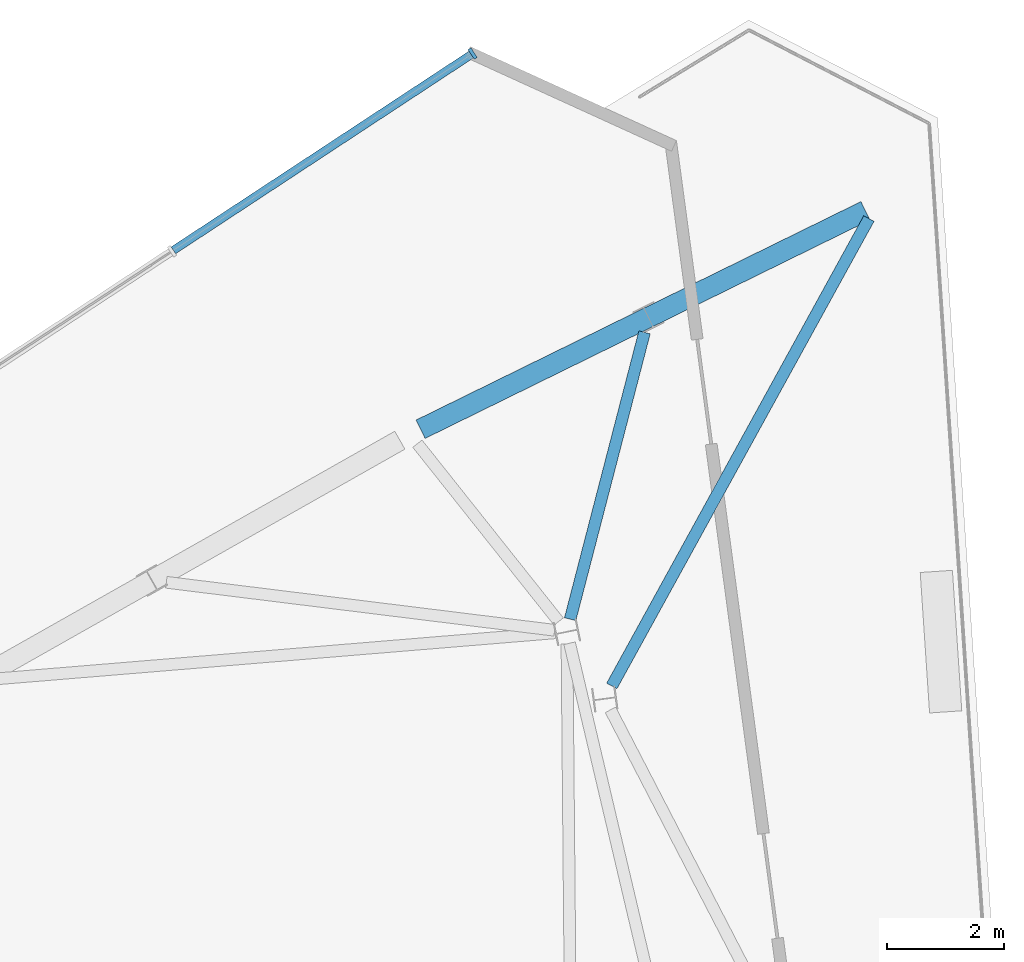
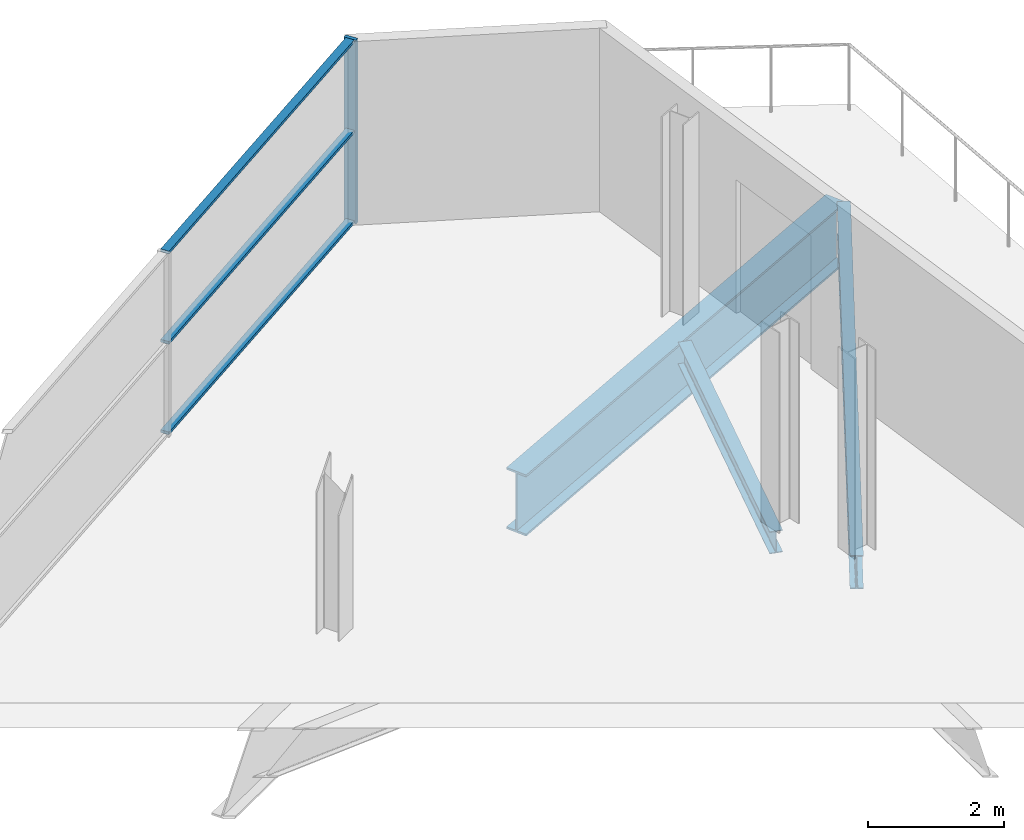
# One storey, part 6 of 10: 4 members, 3 beams, 1 element without a shape of its own.
"""IFC4 building model written with IfcOpenShell, lengths in metres."""

from ifc_helpers import new_model, si_unit, direction, frame, origin, origin_2d, place, context, subcontext, project, spatial, rectangle, i_section, extrude, material, material_profile, profile_set, type_object, element, aggregate, save


model = new_model("IFC4")

# Units and contexts
model_context = context("Model", 3, precision=1e-05, world=origin(), true_north=direction((0.0, 1.0)))
body_context = subcontext(model_context, "Body", "Model", "MODEL_VIEW")
ifc_project = project(units=[si_unit("LENGTHUNIT", "METRE"), si_unit("AREAUNIT", "SQUARE_METRE"), si_unit("VOLUMEUNIT", "CUBIC_METRE"), si_unit("PLANEANGLEUNIT", "RADIAN"), si_unit("MASSUNIT", "GRAM", prefix="KILO")], contexts=[model_context])

# Site, building, storey
site_placement = place(None, origin())
site = spatial("IfcSite", under=ifc_project, at=site_placement, CompositionType="ELEMENT")
building_placement = place(site_placement, origin())
building = spatial("IfcBuilding", under=site, at=building_placement, Name="Binnacle Exchange Tower", CompositionType="ELEMENT")
storey_placement = place(building_placement, frame((0.0, 0.0, 354.10009765625)))
storey = spatial("IfcBuildingStorey", under=building, at=storey_placement, Name="L81", CompositionType="ELEMENT", Elevation=354.10009765625)

# Curtain wall, members
ifc_material_1 = material(Name="Bronze anodised aluminium frame", Category="aluminium")
curtain_wall_type = type_object("IfcCurtainWallType", Name="External wall - curtain wall crown tiers", PredefinedType="NOTDEFINED", material=ifc_material_1)
curtain_wall_placement = place(storey_placement, origin())
curtain_wall = element("IfcCurtainWall", 1, at=curtain_wall_placement, inside=storey, type_object=curtain_wall_type, Name="External wall curtain wall CW5-C203 L81", PredefinedType="NOTDEFINED")
ifc_material_profile_1 = material_profile(ifc_material_1, rectangle(XDim=0.199951171875, YDim=0.06005859375, at=origin_2d()), Name="AL 60x200")
ifc_profile_set_1 = profile_set([ifc_material_profile_1], Name="Bronze anodised aluminium frame")
member_type_1 = type_object("IfcMemberType", Name="CW5 MULLION 60x200", PredefinedType="MULLION", material=ifc_profile_set_1)
member_1_placement = place(storey_placement, frame((-12.48828125, 69.443603515625, 0.0), z_axis=(0.0, 0.0, 1.0), x_axis=(0.549310297171, -0.835618452059, 0.0)))
member_1 = element("IfcMember", 2, at=member_1_placement, type_object=member_type_1, Name="CW5-C203 mullion 1", PredefinedType="MULLION", context=body_context, shape_type="SweptSolid", body=[
    extrude(rectangle(XDim=0.199951171875, YDim=0.06005859375, at=origin_2d()), origin(), (0.0, 0.0, 1.0), 3.2998046875),
])
ifc_material_profile_2 = material_profile(ifc_material_1, rectangle(XDim=0.139892578125, YDim=0.050048828125, at=origin_2d()), Name="AL 140x50")
ifc_profile_set_2 = profile_set([ifc_material_profile_2], Name="Bronze anodised aluminium frame")
member_type_2 = type_object("IfcMemberType", Name="CW5 TRANSOM 50x140", PredefinedType="USERDEFINED", material=ifc_profile_set_2)
member_2_placement = place(storey_placement, frame((-12.51318359375, 69.42724609375, 0.02490234375), z_axis=(-0.835619041413, -0.549309400637, 0.0), x_axis=(0.549309400637, -0.835619041413, 0.0)))
member_2 = element("IfcMember", 3, at=member_2_placement, type_object=member_type_2, Name="CW5-C203 transom 1.1", ObjectType="TRANSOM", PredefinedType="USERDEFINED", context=body_context, shape_type="SweptSolid", body=[
    extrude(rectangle(XDim=0.139892578125, YDim=0.050048828125, at=origin_2d()), origin(), (0.0, 0.0, 1.0), 6.07470703125),
])
member_3_placement = place(storey_placement, frame((-12.51318359375, 69.42724609375, 1.64990234375), z_axis=(-0.835619041413, -0.549309400637, 0.0), x_axis=(0.549309400637, -0.835619041413, 0.0)))
member_3 = element("IfcMember", 4, at=member_3_placement, type_object=member_type_2, Name="CW5-C203 transom 1.2", ObjectType="TRANSOM", PredefinedType="USERDEFINED", context=body_context, shape_type="SweptSolid", body=[
    extrude(rectangle(XDim=0.139892578125, YDim=0.050048828125, at=origin_2d()), origin(), (0.0, 0.0, 1.0), 6.07470703125),
])
member_4_placement = place(storey_placement, frame((-12.51318359375, 69.42724609375, 3.27490234375), z_axis=(-0.835619041413, -0.549309400637, 0.0), x_axis=(0.549309400637, -0.835619041413, 0.0)))
member_4 = element("IfcMember", 5, at=member_4_placement, type_object=member_type_2, Name="CW5-C203 transom 1.3", ObjectType="TRANSOM", PredefinedType="USERDEFINED", context=body_context, shape_type="SweptSolid", body=[
    extrude(rectangle(XDim=0.139892578125, YDim=0.050048828125, at=origin_2d()), origin(), (0.0, 0.0, 1.0), 6.07470703125),
])
aggregate(curtain_wall, [member_1, member_2, member_3, member_4])

# Beams
ifc_material_2 = material(Name="Steel S355 (SHN355)", Category="steel")
ifc_material_profile_3 = material_profile(ifc_material_2, i_section(OverallWidth=0.199951171875, OverallDepth=0.39990234375, WebThickness=0.008056640625, FlangeThickness=0.012939453125, FilletRadius=0.01611328125, at=origin_2d()), Name="H 400x200x8x13")
ifc_profile_set_3 = profile_set([ifc_material_profile_3], Name="Steel S355 (SHN355)")
beam_type_1 = type_object("IfcBeamType", Name="Floor beam H 400x200x8x13 Steel S355 (SHN355)", PredefinedType="BEAM", material=ifc_profile_set_3)
beam_1_placement = place(storey_placement, frame((-10.826416015625, 59.80224609375, -0.5), z_axis=(0.250999061512, 0.967987330041, 0.0), x_axis=(-0.967987330041, 0.250999061512, 0.0)))
element("IfcBeam", 6, at=beam_1_placement, inside=storey, type_object=beam_type_1, Name="S:BM:cross:L81:035", PredefinedType="BEAM", context=body_context, shape_type="SweptSolid", body=[
    extrude(i_section(OverallWidth=0.199951171875, OverallDepth=0.39990234375, WebThickness=0.008056640625, FlangeThickness=0.012939453125, FilletRadius=0.01611328125, at=origin_2d()), origin(), (0.0, 0.0, 1.0), 5.051025390625),
])
ifc_material_profile_4 = material_profile(ifc_material_2, i_section(OverallWidth=0.199951171875, OverallDepth=0.60009765625, WebThickness=0.010986328125, FlangeThickness=0.01708984375, FilletRadius=0.02197265625, at=origin_2d()), Name="H 600x200x11x17")
ifc_profile_set_4 = profile_set([ifc_material_profile_4], Name="Steel S355 (SHN355)")
beam_type_2 = type_object("IfcBeamType", Name="Spine girder H 600x200x11x17 Steel S355 (SHN355)", PredefinedType="BEAM", material=ifc_profile_set_4)
beam_2_placement = place(storey_placement, frame((-10.11669921875, 58.663330078125, -0.60009765625), z_axis=(0.481932147497, 0.876208539795, 0.0), x_axis=(-0.876208539795, 0.481932147497, 0.0)))
element("IfcBeam", 7, at=beam_2_placement, inside=storey, type_object=beam_type_2, Name="S:BM:spine:L81:016", PredefinedType="BEAM", context=body_context, shape_type="SweptSolid", body=[
    extrude(i_section(OverallWidth=0.199951171875, OverallDepth=0.60009765625, WebThickness=0.010986328125, FlangeThickness=0.01708984375, FilletRadius=0.02197265625, at=origin_2d()), origin(), (0.0, 0.0, 1.0), 9.09375),
])
ifc_material_3 = material(Name="Steel S355 (SM355)", Category="steel")
ifc_material_profile_5 = material_profile(ifc_material_3, i_section(OverallWidth=0.35009765625, OverallDepth=1.10009765625, WebThickness=0.02001953125, FlangeThickness=0.035888671875, at=origin_2d()), Name="BH 1100x350x20x36")
ifc_profile_set_5 = profile_set([ifc_material_profile_5], Name="Steel S355 (SM355)")
beam_type_3 = type_object("IfcBeamType", Name="Transfer girder BH 1100x350x20x36 Steel S355 (SM355)", PredefinedType="BEAM", material=ifc_profile_set_5)
beam_3_placement = place(storey_placement, frame((-5.79248046875, 66.763671875, -0.85009765625), z_axis=(-0.897623129151, -0.440763789362, 0.0), x_axis=(0.440763789362, -0.897623129151, 0.0)))
element("IfcBeam", 8, at=beam_3_placement, inside=storey, type_object=beam_type_3, Name="S:BM:transfer:L81:008", PredefinedType="BEAM", context=body_context, shape_type="SweptSolid", body=[
    extrude(i_section(OverallWidth=0.35009765625, OverallDepth=1.10009765625, WebThickness=0.02001953125, FlangeThickness=0.035888671875, at=origin_2d()), origin(), (0.0, 0.0, 1.0), 8.44873046875),
])

save(model, "model.ifc")
